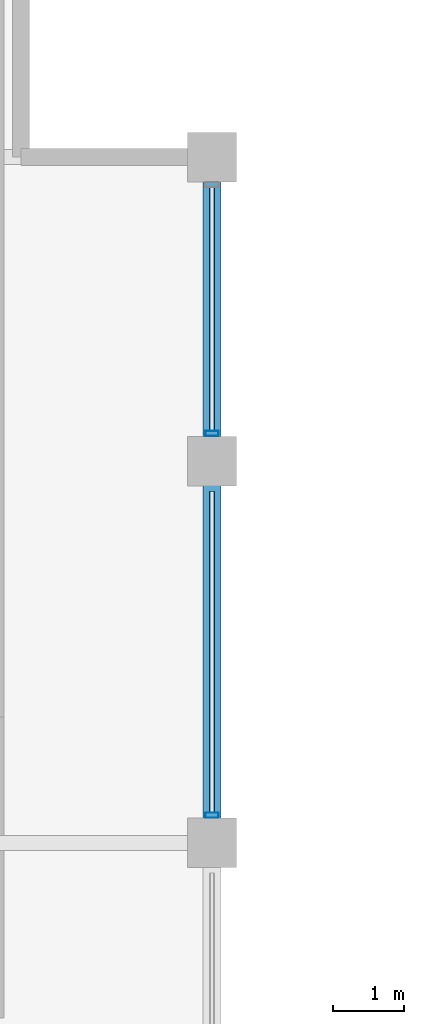
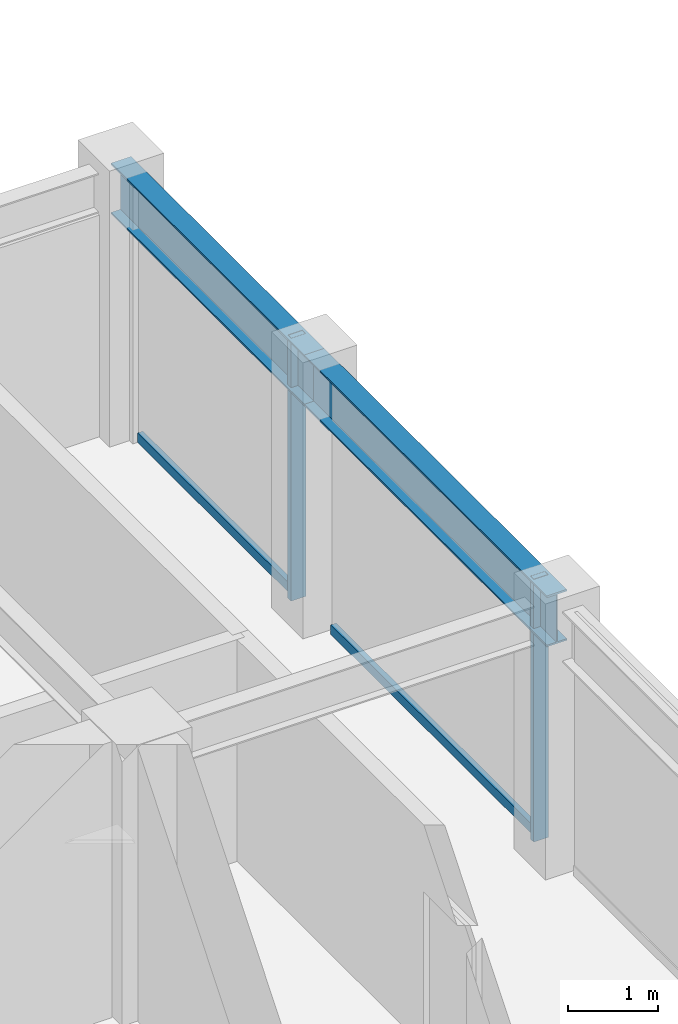
# One storey, part 19 of 30: 4 members, 2 beams, 1 element without a shape of its own.
"""IFC4 building model written with IfcOpenShell, lengths in metres."""

from ifc_helpers import new_model, si_unit, direction, frame, origin, origin_2d, place, context, subcontext, project, spatial, hollow_rectangle, i_section, extrude, material, layer, layer_set, material_profile, profile_set, type_object, element, aggregate, save


model = new_model("IFC4")

# Units and contexts
model_context = context("Model", 3, precision=1e-05, world=origin(), true_north=direction((0.0, 1.0)))
body_context = subcontext(model_context, "Body", "Model", "MODEL_VIEW")
ifc_project = project(units=[si_unit("LENGTHUNIT", "METRE"), si_unit("AREAUNIT", "SQUARE_METRE"), si_unit("VOLUMEUNIT", "CUBIC_METRE"), si_unit("PLANEANGLEUNIT", "RADIAN"), si_unit("MASSUNIT", "GRAM", prefix="KILO")], contexts=[model_context])

# Site, building, storey
site_placement = place(None, origin())
site = spatial("IfcSite", under=ifc_project, at=site_placement, CompositionType="ELEMENT")
building_placement = place(site_placement, origin())
building = spatial("IfcBuilding", under=site, at=building_placement, Name="Surkhivell Harbour Commons", CompositionType="ELEMENT")
storey_placement = place(building_placement, frame((0.0, 0.0, 303.75)))
storey = spatial("IfcBuildingStorey", under=building, at=storey_placement, Name="L79", CompositionType="ELEMENT", Elevation=303.75)

# Beams
ifc_material_1 = material(Name="Steel S355", Category="steel")
ifc_material_profile_1 = material_profile(ifc_material_1, i_section(OverallWidth=0.256103515625, OverallDepth=0.693115234375, WebThickness=0.014404296875, FlangeThickness=0.023681640625, at=origin_2d()), Name="UB686x254x170")
ifc_profile_set_1 = profile_set([ifc_material_profile_1], Name="Steel S355")
beam_type = type_object("IfcBeamType", Name="BM-SPN-686", PredefinedType="SPANDREL", material=ifc_profile_set_1)
beam_1_placement = place(storey_placement, frame((16.199951171875, 10.800048828125, 3.223388671875), z_axis=(0.0, 1.0, 0.0), x_axis=(-1.0, 0.0, 0.0)))
element("IfcBeam", 1, at=beam_1_placement, inside=storey, type_object=beam_type, Name="L79 Tube Spandrel (16.2,10.8)", PredefinedType="SPANDREL", context=body_context, shape_type="SweptSolid", body=[
    extrude(i_section(OverallWidth=0.256103515625, OverallDepth=0.693115234375, WebThickness=0.014404296875, FlangeThickness=0.023681640625, at=origin_2d()), origin(), (0.0, 0.0, 1.0), 5.39990234375),
])
beam_2_placement = place(storey_placement, frame((16.199951171875, 16.199951171875, 3.223388671875), z_axis=(0.0, 1.0, 0.0), x_axis=(-1.0, 0.0, 0.0)))
element("IfcBeam", 2, at=beam_2_placement, inside=storey, type_object=beam_type, Name="L79 Tube Spandrel (16.2,16.2)", PredefinedType="SPANDREL", context=body_context, shape_type="SweptSolid", body=[
    extrude(i_section(OverallWidth=0.256103515625, OverallDepth=0.693115234375, WebThickness=0.014404296875, FlangeThickness=0.023681640625, at=origin_2d()), origin(), (0.0, 0.0, 1.0), 4.300048828125),
])

# Curtain wall, members
ifc_material_2 = material(Name="Anodised pale-metal aluminium and insulated glazing", Category="aluminium")
ifc_layer = layer(ifc_material_2, 0.175048828125)
ifc_layer_set = layer_set([ifc_layer], Name="Anodised pale-metal aluminium and insulated glazing")
curtain_wall_type = type_object("IfcCurtainWallType", Name="CW-SYS-Z4", PredefinedType="NOTDEFINED", material=ifc_layer_set)
curtain_wall_placement = place(storey_placement, origin())
curtain_wall = element("IfcCurtainWall", 3, at=curtain_wall_placement, inside=storey, type_object=curtain_wall_type, Name="L79 Curtain Wall CW-L79-E02R2", PredefinedType="NOTDEFINED")
ifc_material_3 = material(Name="Anodised pale-metal aluminium alloy 6063-T6", Category="aluminium")
ifc_material_profile_2 = material_profile(ifc_material_3, hollow_rectangle(XDim=0.074951171875, YDim=0.18994140625, WallThickness=0.00390625, at=origin_2d()), Name="ALU-MULL-75x190")
ifc_profile_set_2 = profile_set([ifc_material_profile_2], Name="Anodised pale-metal aluminium alloy 6063-T6")
member_type_1 = type_object("IfcMemberType", Name="CWM-190", PredefinedType="MULLION", material=ifc_profile_set_2)
member_1_placement = place(storey_placement, frame((16.199951171875, 11.189453125, 0.0), z_axis=(0.0, 0.0, 1.0), x_axis=(0.0, 1.0, 0.0)))
member_1 = element("IfcMember", 4, at=member_1_placement, type_object=member_type_1, Name="CW-Z4 mullion 2", PredefinedType="MULLION", context=body_context, shape_type="SweptSolid", body=[
    extrude(hollow_rectangle(XDim=0.074951171875, YDim=0.18994140625, WallThickness=0.00390625, at=origin_2d()), origin(), (0.0, 0.0, 1.0), 3.570068359375),
])
member_2_placement = place(storey_placement, frame((16.199951171875, 16.589599609375, 0.0), z_axis=(0.0, 0.0, 1.0), x_axis=(0.0, 1.0, 0.0)))
member_2 = element("IfcMember", 5, at=member_2_placement, type_object=member_type_1, Name="CW-Z4 mullion 3", PredefinedType="MULLION", context=body_context, shape_type="SweptSolid", body=[
    extrude(hollow_rectangle(XDim=0.074951171875, YDim=0.18994140625, WallThickness=0.00390625, at=origin_2d()), origin(), (0.0, 0.0, 1.0), 3.570068359375),
])
ifc_material_4 = material(Name="Champagne anodised aluminium alloy 6063-T6", Category="aluminium")
ifc_material_profile_3 = material_profile(ifc_material_4, hollow_rectangle(XDim=0.070068359375, YDim=0.1298828125, WallThickness=0.00341796875, at=origin_2d()), Name="ALU-TRAN-70x130")
ifc_profile_set_3 = profile_set([ifc_material_profile_3], Name="Champagne anodised aluminium alloy 6063-T6")
member_type_2 = type_object("IfcMemberType", Name="CWT-130", PredefinedType="USERDEFINED", material=ifc_profile_set_3)
member_3_placement = place(storey_placement, frame((16.199951171875, 11.22705078125, 0.06494140625), z_axis=(0.0, 1.0, 0.0), x_axis=(-1.0, 0.0, 0.0)))
member_3 = element("IfcMember", 6, at=member_3_placement, type_object=member_type_2, Name="CW-Z4 transom 2.1", ObjectType="TRANSOM", PredefinedType="USERDEFINED", context=body_context, shape_type="SweptSolid", body=[
    extrude(hollow_rectangle(XDim=0.070068359375, YDim=0.1298828125, WallThickness=0.00341796875, at=origin_2d()), origin(), (0.0, 0.0, 1.0), 4.5458984375),
])
member_4_placement = place(storey_placement, frame((16.199951171875, 16.626953125, 0.06494140625), z_axis=(0.0, 1.0, 0.0), x_axis=(-1.0, 0.0, 0.0)))
member_4 = element("IfcMember", 7, at=member_4_placement, type_object=member_type_2, Name="CW-Z4 transom 3.1", ObjectType="TRANSOM", PredefinedType="USERDEFINED", context=body_context, shape_type="SweptSolid", body=[
    extrude(hollow_rectangle(XDim=0.070068359375, YDim=0.1298828125, WallThickness=0.00341796875, at=origin_2d()), origin(), (0.0, 0.0, 1.0), 3.446044921875),
])
aggregate(curtain_wall, [member_1, member_3, member_2, member_4])

save(model, "model.ifc")
